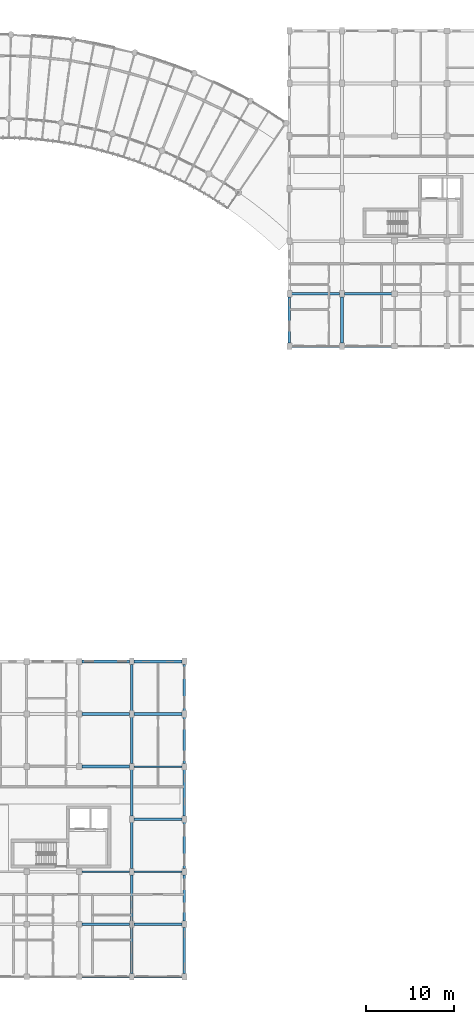
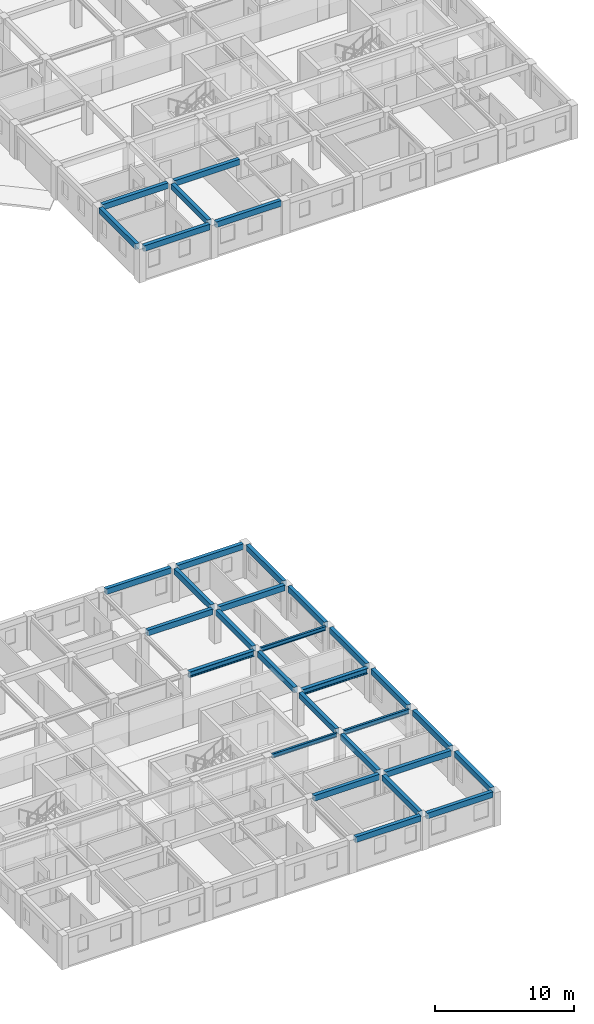
# One storey, part 35 of 100: 31 beams.
"""IFC4 building model written with IfcOpenShell, lengths in metres."""

from ifc_helpers import new_model, si_unit, direction, frame, origin, origin_2d, place, context, subcontext, project, spatial, rectangle, i_section, extrude, material, material_profile, profile_set, type_object, element, save


model = new_model("IFC4")

# Units and contexts
model_context = context("Model", 3, precision=1e-05, world=origin(), true_north=direction((0.0, 1.0)))
body_context = subcontext(model_context, "Body", "Model", "MODEL_VIEW")
ifc_project = project(units=[si_unit("LENGTHUNIT", "METRE"), si_unit("AREAUNIT", "SQUARE_METRE"), si_unit("VOLUMEUNIT", "CUBIC_METRE"), si_unit("PLANEANGLEUNIT", "RADIAN"), si_unit("MASSUNIT", "GRAM", prefix="KILO"), si_unit("POWERUNIT", "WATT"), si_unit("THERMODYNAMICTEMPERATUREUNIT", "KELVIN")], contexts=[model_context])

# Site, building, storey
site_placement = place(None, origin())
site = spatial("IfcSite", under=ifc_project, at=site_placement, CompositionType="ELEMENT")
building_placement = place(site_placement, origin())
building = spatial("IfcBuilding", under=site, at=building_placement, Name="Ruvembo Vaulted Housing Court", CompositionType="ELEMENT")
storey_placement = place(building_placement, frame((0.0, 0.0, 10.89990234375)))
storey = spatial("IfcBuildingStorey", under=building, at=storey_placement, Name="L03", CompositionType="ELEMENT", Elevation=10.89990234375)

# Beams
ifc_material_1 = material(Name="Steel S355J2", Category="steel")
ifc_material_profile_1 = material_profile(ifc_material_1, i_section(OverallWidth=0.300048828125, OverallDepth=0.5, WebThickness=0.014404296875, FlangeThickness=0.028076171875, FilletRadius=0.027099609375, at=origin_2d()), Name="HEB 320")
ifc_profile_set_1 = profile_set([ifc_material_profile_1], Name="Steel S355J2")
beam_type_1 = type_object("IfcBeamType", Name="BM-ST-HEB320", PredefinedType="BEAM", material=ifc_profile_set_1)
beam_1_placement = place(storey_placement, frame((132.260009765625, 18.0, 2.676025390625), z_axis=(1.0, 0.0, 0.0), x_axis=(0.0, 1.0, 0.0)))
element("IfcBeam", 1, at=beam_1_placement, inside=storey, type_object=beam_type_1, Name="L03 Grid Beam X #1745", PredefinedType="BEAM", context=body_context, shape_type="SweptSolid", body=[
    extrude(i_section(OverallWidth=0.300048828125, OverallDepth=0.5, WebThickness=0.014404296875, FlangeThickness=0.028076171875, FilletRadius=0.027099609375, at=origin_2d()), origin(), (0.0, 0.0, 1.0), 5.47998046875),
])
beam_2_placement = place(storey_placement, frame((126.31005859375, 24.0, 2.676025390625), z_axis=(1.0, 0.0, 0.0), x_axis=(0.0, 1.0, 0.0)))
element("IfcBeam", 2, at=beam_2_placement, inside=storey, type_object=beam_type_1, Name="L03 Grid Beam X #1751", PredefinedType="BEAM", context=body_context, shape_type="SweptSolid", body=[
    extrude(i_section(OverallWidth=0.300048828125, OverallDepth=0.5, WebThickness=0.014404296875, FlangeThickness=0.028076171875, FilletRadius=0.027099609375, at=origin_2d()), origin(), (0.0, 0.0, 1.0), 5.429931640625),
])
ifc_material_profile_2 = material_profile(ifc_material_1, i_section(OverallWidth=0.169921875, OverallDepth=0.360107421875, WebThickness=0.008056640625, FlangeThickness=0.0126953125, FilletRadius=0.01806640625, at=origin_2d()), Name="IPE 360")
ifc_profile_set_2 = profile_set([ifc_material_profile_2], Name="Steel S355J2")
beam_type_2 = type_object("IfcBeamType", Name="BM-ST-IPE360", PredefinedType="BEAM", material=ifc_profile_set_2)
beam_3_placement = place(storey_placement, frame((126.31005859375, 12.0, 2.74609375), z_axis=(1.0, 0.0, 0.0), x_axis=(0.0, 1.0, 0.0)))
element("IfcBeam", 3, at=beam_3_placement, inside=storey, type_object=beam_type_2, Name="L03 Grid Beam X #1737", PredefinedType="BEAM", context=body_context, shape_type="SweptSolid", body=[
    extrude(i_section(OverallWidth=0.169921875, OverallDepth=0.360107421875, WebThickness=0.008056640625, FlangeThickness=0.0126953125, FilletRadius=0.01806640625, at=origin_2d()), origin(), (0.0, 0.0, 1.0), 5.429931640625),
])
beam_4_placement = place(storey_placement, frame((132.260009765625, 24.0, 2.74609375), z_axis=(1.0, 0.0, 0.0), x_axis=(0.0, 1.0, 0.0)))
element("IfcBeam", 4, at=beam_4_placement, inside=storey, type_object=beam_type_2, Name="L03 Grid Beam X #1752", PredefinedType="BEAM", context=body_context, shape_type="SweptSolid", body=[
    extrude(i_section(OverallWidth=0.169921875, OverallDepth=0.360107421875, WebThickness=0.008056640625, FlangeThickness=0.0126953125, FilletRadius=0.01806640625, at=origin_2d()), origin(), (0.0, 0.0, 1.0), 5.47998046875),
])
ifc_material_profile_3 = material_profile(ifc_material_1, i_section(OverallWidth=0.179931640625, OverallDepth=0.39990234375, WebThickness=0.008544921875, FlangeThickness=0.013427734375, FilletRadius=0.02099609375, at=origin_2d()), Name="IPE 400")
ifc_profile_set_3 = profile_set([ifc_material_profile_3], Name="Steel S355J2")
beam_type_3 = type_object("IfcBeamType", Name="BM-ST-IPE400", PredefinedType="BEAM", material=ifc_profile_set_3)
beam_5_placement = place(storey_placement, frame((132.260009765625, 12.0, 2.72607421875), z_axis=(1.0, 0.0, 0.0), x_axis=(0.0, 1.0, 0.0)))
element("IfcBeam", 5, at=beam_5_placement, inside=storey, type_object=beam_type_3, Name="L03 Grid Beam X #1738", PredefinedType="BEAM", context=body_context, shape_type="SweptSolid", body=[
    extrude(i_section(OverallWidth=0.179931640625, OverallDepth=0.39990234375, WebThickness=0.008544921875, FlangeThickness=0.013427734375, FilletRadius=0.02099609375, at=origin_2d()), origin(), (0.0, 0.0, 1.0), 5.47998046875),
])
ifc_material_2 = material(Name="Concrete C35/45", Category="concrete")
ifc_material_profile_4 = material_profile(ifc_material_2, rectangle(XDim=0.300048828125, YDim=0.5, at=origin_2d()), Name="RC 300x500")
ifc_profile_set_4 = profile_set([ifc_material_profile_4], Name="Concrete C35/45")
beam_type_4 = type_object("IfcBeamType", Name="SP-RC-300x500", PredefinedType="SPANDREL", material=ifc_profile_set_4)
beam_6_placement = place(storey_placement, frame((126.31005859375, 0.0, 2.710205078125), z_axis=(1.0, 0.0, 0.0), x_axis=(0.0, 1.0, 0.0)))
element("IfcBeam", 6, at=beam_6_placement, inside=storey, type_object=beam_type_4, Name="L03 Grid Beam X #1713", PredefinedType="SPANDREL", context=body_context, shape_type="SweptSolid", body=[
    extrude(rectangle(XDim=0.300048828125, YDim=0.5, at=origin_2d()), origin(), (0.0, 0.0, 1.0), 5.429931640625),
])
beam_7_placement = place(storey_placement, frame((132.260009765625, 0.0, 2.710205078125), z_axis=(1.0, 0.0, 0.0), x_axis=(0.0, 1.0, 0.0)))
element("IfcBeam", 7, at=beam_7_placement, inside=storey, type_object=beam_type_4, Name="L03 Grid Beam X #1714", PredefinedType="SPANDREL", context=body_context, shape_type="SweptSolid", body=[
    extrude(rectangle(XDim=0.300048828125, YDim=0.5, at=origin_2d()), origin(), (0.0, 0.0, 1.0), 5.47998046875),
])
beam_8_placement = place(storey_placement, frame((126.31005859375, 6.0, 2.710205078125), z_axis=(1.0, 0.0, 0.0), x_axis=(0.0, 1.0, 0.0)))
element("IfcBeam", 8, at=beam_8_placement, inside=storey, type_object=beam_type_4, Name="L03 Grid Beam X #1725", PredefinedType="SPANDREL", context=body_context, shape_type="SweptSolid", body=[
    extrude(rectangle(XDim=0.300048828125, YDim=0.5, at=origin_2d()), origin(), (0.0, 0.0, 1.0), 5.429931640625),
])
beam_9_placement = place(storey_placement, frame((132.260009765625, 6.0, 2.710205078125), z_axis=(1.0, 0.0, 0.0), x_axis=(0.0, 1.0, 0.0)))
element("IfcBeam", 9, at=beam_9_placement, inside=storey, type_object=beam_type_4, Name="L03 Grid Beam X #1726", PredefinedType="SPANDREL", context=body_context, shape_type="SweptSolid", body=[
    extrude(rectangle(XDim=0.300048828125, YDim=0.5, at=origin_2d()), origin(), (0.0, 0.0, 1.0), 5.47998046875),
])
beam_10_placement = place(storey_placement, frame((126.31005859375, 30.0, 2.710205078125), z_axis=(1.0, 0.0, 0.0), x_axis=(0.0, 1.0, 0.0)))
element("IfcBeam", 10, at=beam_10_placement, inside=storey, type_object=beam_type_4, Name="L03 Grid Beam X #1763", PredefinedType="SPANDREL", context=body_context, shape_type="SweptSolid", body=[
    extrude(rectangle(XDim=0.300048828125, YDim=0.5, at=origin_2d()), origin(), (0.0, 0.0, 1.0), 5.429931640625),
])
beam_11_placement = place(storey_placement, frame((132.260009765625, 30.0, 2.710205078125), z_axis=(1.0, 0.0, 0.0), x_axis=(0.0, 1.0, 0.0)))
element("IfcBeam", 11, at=beam_11_placement, inside=storey, type_object=beam_type_4, Name="L03 Grid Beam X #1764", PredefinedType="SPANDREL", context=body_context, shape_type="SweptSolid", body=[
    extrude(rectangle(XDim=0.300048828125, YDim=0.5, at=origin_2d()), origin(), (0.0, 0.0, 1.0), 5.47998046875),
])
beam_12_placement = place(storey_placement, frame((126.31005859375, 36.0, 2.710205078125), z_axis=(1.0, 0.0, 0.0), x_axis=(0.0, 1.0, 0.0)))
element("IfcBeam", 12, at=beam_12_placement, inside=storey, type_object=beam_type_4, Name="L03 Grid Beam X #1775", PredefinedType="SPANDREL", context=body_context, shape_type="SweptSolid", body=[
    extrude(rectangle(XDim=0.300048828125, YDim=0.5, at=origin_2d()), origin(), (0.0, 0.0, 1.0), 5.429931640625),
])
for number, where, z_axis, x_axis, name in (
    (13, (132.260009765625, 36.0, 2.710205078125), (1.0, 0.0, 0.0), (0.0, 1.0, 0.0), "L03 Grid Beam X #1776"),
    (14, (150.260009765625, 72.0, 2.710205078125), (1.0, 0.0, 0.0), (0.0, 1.0, 0.0), "L03 Grid Beam X #1783"),
):
    element("IfcBeam", number, at=place(storey_placement, frame(where, z_axis=z_axis, x_axis=x_axis)), inside=storey, type_object=beam_type_4, Name=name, PredefinedType="SPANDREL", context=body_context, shape_type="SweptSolid", body=[
        extrude(rectangle(XDim=0.300048828125, YDim=0.5, at=origin_2d()), origin(), (0.0, 0.0, 1.0), 5.47998046875),
    ])
beam_13_placement = place(storey_placement, frame((156.260009765625, 72.0, 2.710205078125), z_axis=(1.0, 0.0, 0.0), x_axis=(0.0, 1.0, 0.0)))
element("IfcBeam", 15, at=beam_13_placement, inside=storey, type_object=beam_type_4, Name="L03 Grid Beam X #1784", PredefinedType="SPANDREL", context=body_context, shape_type="SweptSolid", body=[
    extrude(rectangle(XDim=0.300048828125, YDim=0.5, at=origin_2d()), origin(), (0.0, 0.0, 1.0), 5.429931640625),
])
beam_14_placement = place(storey_placement, frame((150.260009765625, 78.0, 2.710205078125), z_axis=(1.0, 0.0, 0.0), x_axis=(0.0, 1.0, 0.0)))
element("IfcBeam", 16, at=beam_14_placement, inside=storey, type_object=beam_type_4, Name="L03 Grid Beam X #1795", PredefinedType="SPANDREL", context=body_context, shape_type="SweptSolid", body=[
    extrude(rectangle(XDim=0.300048828125, YDim=0.5, at=origin_2d()), origin(), (0.0, 0.0, 1.0), 5.47998046875),
])
beam_15_placement = place(storey_placement, frame((156.260009765625, 78.0, 2.710205078125), z_axis=(1.0, 0.0, 0.0), x_axis=(0.0, 1.0, 0.0)))
element("IfcBeam", 17, at=beam_15_placement, inside=storey, type_object=beam_type_4, Name="L03 Grid Beam X #1796", PredefinedType="SPANDREL", context=body_context, shape_type="SweptSolid", body=[
    extrude(rectangle(XDim=0.300048828125, YDim=0.5, at=origin_2d()), origin(), (0.0, 0.0, 1.0), 5.429931640625),
])
for number, where, z_axis, x_axis, name in (
    (18, (132.0, 0.360107421875, 2.710205078125), (0.0, 1.0, 0.0), (-1.0, 0.0, 0.0), "L03 Grid Beam Y #1950"),
    (19, (132.0, 6.360107421875, 2.710205078125), (0.0, 1.0, 0.0), (-1.0, 0.0, 0.0), "L03 Grid Beam Y #1951"),
    (20, (132.0, 12.360107421875, 2.710205078125), (0.0, 1.0, 0.0), (-1.0, 0.0, 0.0), "L03 Grid Beam Y #1952"),
    (21, (132.0, 18.360107421875, 2.710205078125), (0.0, 1.0, 0.0), (-1.0, 0.0, 0.0), "L03 Grid Beam Y #1953"),
    (22, (132.0, 24.360107421875, 2.710205078125), (0.0, 1.0, 0.0), (-1.0, 0.0, 0.0), "L03 Grid Beam Y #1954"),
    (23, (132.0, 30.360107421875, 2.710205078125), (0.0, 1.0, 0.0), (-1.0, 0.0, 0.0), "L03 Grid Beam Y #1955"),
    (24, (138.0, 0.360107421875, 2.710205078125), (0.0, 1.0, 0.0), (-1.0, 0.0, 0.0), "L03 Grid Beam Y #1956"),
    (25, (138.0, 6.360107421875, 2.710205078125), (0.0, 1.0, 0.0), (-1.0, 0.0, 0.0), "L03 Grid Beam Y #1957"),
    (26, (138.0, 12.360107421875, 2.710205078125), (0.0, 1.0, 0.0), (-1.0, 0.0, 0.0), "L03 Grid Beam Y #1958"),
    (27, (138.0, 18.360107421875, 2.710205078125), (0.0, 1.0, 0.0), (-1.0, 0.0, 0.0), "L03 Grid Beam Y #1959"),
    (28, (138.0, 24.360107421875, 2.710205078125), (0.0, 1.0, 0.0), (-1.0, 0.0, 0.0), "L03 Grid Beam Y #1960"),
    (29, (138.0, 30.360107421875, 2.710205078125), (0.0, 1.0, 0.0), (-1.0, 0.0, 0.0), "L03 Grid Beam Y #1961"),
    (30, (150.0, 72.360107421875, 2.710205078125), (0.0, 1.0, 0.0), (-1.0, 0.0, 0.0), "L03 Grid Beam Y #1962"),
    (31, (156.0, 72.360107421875, 2.710205078125), (0.0, 1.0, 0.0), (-1.0, 0.0, 0.0), "L03 Grid Beam Y #1968"),
):
    element("IfcBeam", number, at=place(storey_placement, frame(where, z_axis=z_axis, x_axis=x_axis)), inside=storey, type_object=beam_type_4, Name=name, PredefinedType="SPANDREL", context=body_context, shape_type="SweptSolid", body=[
        extrude(rectangle(XDim=0.300048828125, YDim=0.5, at=origin_2d()), origin(), (0.0, 0.0, 1.0), 5.27978515625),
    ])

save(model, "model.ifc")
